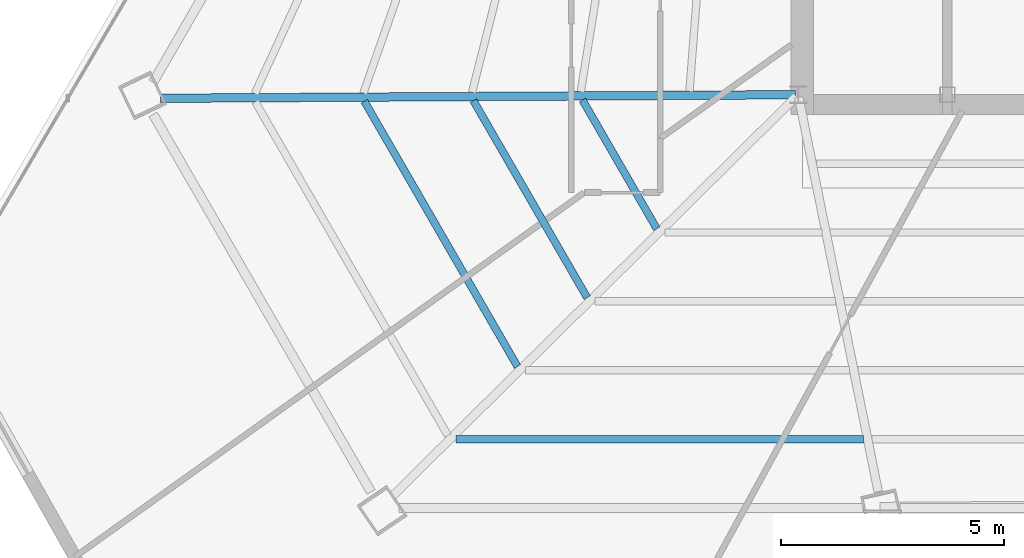
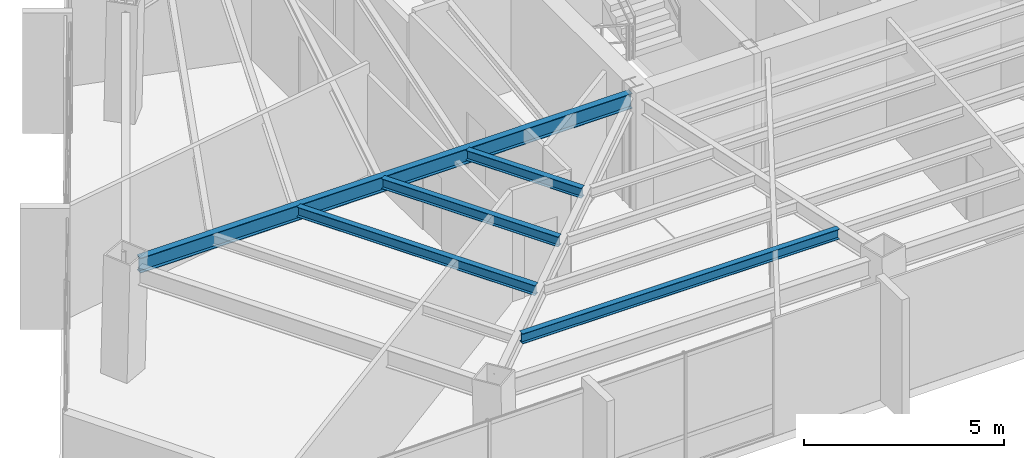
# One storey, part 11 of 42: 5 beams.
"""IFC4 building model written with IfcOpenShell, lengths in metres."""

from ifc_helpers import new_model, si_unit, direction, frame, origin, origin_2d, place, context, subcontext, project, spatial, i_section, extrude, source, transform, mapped, material, material_profile, profile_set, type_object, type_shapes, element, save


model = new_model("IFC4")

# Units and contexts
model_context = context("Model", 3, precision=1e-05, world=origin(), true_north=direction((0.0, 1.0)))
body_context = subcontext(model_context, "Body", "Model", "MODEL_VIEW")
ifc_project = project(units=[si_unit("LENGTHUNIT", "METRE"), si_unit("AREAUNIT", "SQUARE_METRE"), si_unit("VOLUMEUNIT", "CUBIC_METRE"), si_unit("PLANEANGLEUNIT", "RADIAN"), si_unit("MASSUNIT", "GRAM", prefix="KILO")], contexts=[model_context])

# Site, building, storey
site_placement = place(None, origin())
site = spatial("IfcSite", under=ifc_project, at=site_placement, CompositionType="ELEMENT")
building_placement = place(site_placement, origin())
building = spatial("IfcBuilding", under=site, at=building_placement, Name="Caelisora Broadcast Tower", CompositionType="ELEMENT")
storey_placement = place(building_placement, frame((0.0, 0.0, 191.35009765625)))
storey = spatial("IfcBuildingStorey", under=building, at=storey_placement, Name="L50", CompositionType="ELEMENT", Elevation=191.35009765625)

# Beams
ifc_material = material(Name="Steel Grade 350 (AS/NZS 3679.1)", Category="steel")
ifc_material_profile_1 = material_profile(ifc_material, i_section(OverallWidth=0.19091796875, OverallDepth=0.46044921875, WebThickness=0.010009765625, FlangeThickness=0.01611328125, at=origin_2d()), Name="Steel Grade 350 (AS/NZS 3679.1)")
ifc_profile_set_1 = profile_set([ifc_material_profile_1], Name="Steel Grade 350 (AS/NZS 3679.1)")
beam_type_1 = type_object("IfcBeamType", Name="PG06", PredefinedType="BEAM", material=ifc_profile_set_1)
shared_shape_1 = source(origin(), body_context, "Body", "SweptSolid", [
    extrude(i_section(OverallWidth=0.19091796875, OverallDepth=0.46044921875, WebThickness=0.010009765625, FlangeThickness=0.01611328125, at=origin_2d()), origin(), (0.0, 0.0, 1.0), 14.263671875),
])
type_shapes(beam_type_1, [shared_shape_1])
beam_1_placement = place(storey_placement, frame((30.43994140625, 17.399658203125, 3.169677734375), z_axis=(-0.999984240599, -0.005614138797, 0.0), x_axis=(0.005614138797, -0.999984240599, 0.0)))
element("IfcBeam", 1, at=beam_1_placement, inside=storey, type_object=beam_type_1, Name="L50 beam PG06", PredefinedType="BEAM", context=body_context, shape_type="MappedRepresentation", body=[
    mapped(shared_shape_1, transform((0.0, 0.0, 0.0), scale=1.0)),
])
ifc_material_profile_2 = material_profile(ifc_material, i_section(OverallWidth=0.166015625, OverallDepth=0.30712890625, WebThickness=0.006591796875, FlangeThickness=0.01171875, at=origin_2d()), Name="Steel Grade 350 (AS/NZS 3679.1)")
ifc_profile_set_2 = profile_set([ifc_material_profile_2], Name="Steel Grade 350 (AS/NZS 3679.1)")
beam_type_2 = type_object("IfcBeamType", Name="SB03", PredefinedType="JOIST", material=ifc_profile_set_2)
shared_shape_2 = source(origin(), body_context, "Body", "SweptSolid", [
    extrude(i_section(OverallWidth=0.166015625, OverallDepth=0.30712890625, WebThickness=0.006591796875, FlangeThickness=0.01171875, at=origin_2d()), origin(), (0.0, 0.0, 1.0), 3.33935546875),
])
beam_2_placement = place(storey_placement, frame((25.653564453125, 17.280029296875, 3.246337890625), z_axis=(0.500015685897, -0.866016347338, 0.0), x_axis=(0.866016347338, 0.500015685897, 0.0)))
element("IfcBeam", 2, at=beam_2_placement, inside=storey, type_object=beam_type_2, Name="L50 beam SB03", PredefinedType="JOIST", context=body_context, shape_type="MappedRepresentation", body=[
    mapped(shared_shape_2, transform((0.0, 0.0, 0.0), scale=1.0)),
])
shared_shape_3 = source(origin(), body_context, "Body", "SweptSolid", [
    extrude(i_section(OverallWidth=0.166015625, OverallDepth=0.30712890625, WebThickness=0.006591796875, FlangeThickness=0.01171875, at=origin_2d()), origin(), (0.0, 0.0, 1.0), 5.110107421875),
])
beam_3_placement = place(storey_placement, frame((23.20361328125, 17.26611328125, 3.246337890625), z_axis=(0.50003400563, -0.866005769735, 0.0), x_axis=(0.866005769735, 0.50003400563, 0.0)))
element("IfcBeam", 3, at=beam_3_placement, inside=storey, type_object=beam_type_2, Name="L50 beam SB03", PredefinedType="JOIST", context=body_context, shape_type="MappedRepresentation", body=[
    mapped(shared_shape_3, transform((0.0, 0.0, 0.0), scale=1.0)),
])
shared_shape_4 = source(origin(), body_context, "Body", "SweptSolid", [
    extrude(i_section(OverallWidth=0.166015625, OverallDepth=0.30712890625, WebThickness=0.006591796875, FlangeThickness=0.01171875, at=origin_2d()), origin(), (0.0, 0.0, 1.0), 6.880859375),
])
beam_4_placement = place(storey_placement, frame((20.753662109375, 17.25244140625, 3.246337890625), z_axis=(0.500000921525, -0.866024871741, 0.0), x_axis=(0.866024871741, 0.500000921525, 0.0)))
element("IfcBeam", 4, at=beam_4_placement, inside=storey, type_object=beam_type_2, Name="L50 beam SB03", PredefinedType="JOIST", context=body_context, shape_type="MappedRepresentation", body=[
    mapped(shared_shape_4, transform((0.0, 0.0, 0.0), scale=1.0)),
])
shared_shape_5 = source(origin(), body_context, "Body", "SweptSolid", [
    extrude(i_section(OverallWidth=0.166015625, OverallDepth=0.30712890625, WebThickness=0.006591796875, FlangeThickness=0.01171875, at=origin_2d()), origin(), (0.0, 0.0, 1.0), 9.154541015625),
])
type_shapes(beam_type_2, [shared_shape_2, shared_shape_3, shared_shape_4, shared_shape_5])
beam_5_placement = place(storey_placement, frame((22.810302734375, 9.6630859375, 3.246337890625), z_axis=(1.0, 0.0, 0.0), x_axis=(0.0, 1.0, 0.0)))
element("IfcBeam", 5, at=beam_5_placement, inside=storey, type_object=beam_type_2, Name="L50 beam SB03", PredefinedType="JOIST", context=body_context, shape_type="MappedRepresentation", body=[
    mapped(shared_shape_5, transform((0.0, 0.0, 0.0), scale=1.0)),
])

save(model, "model.ifc")
